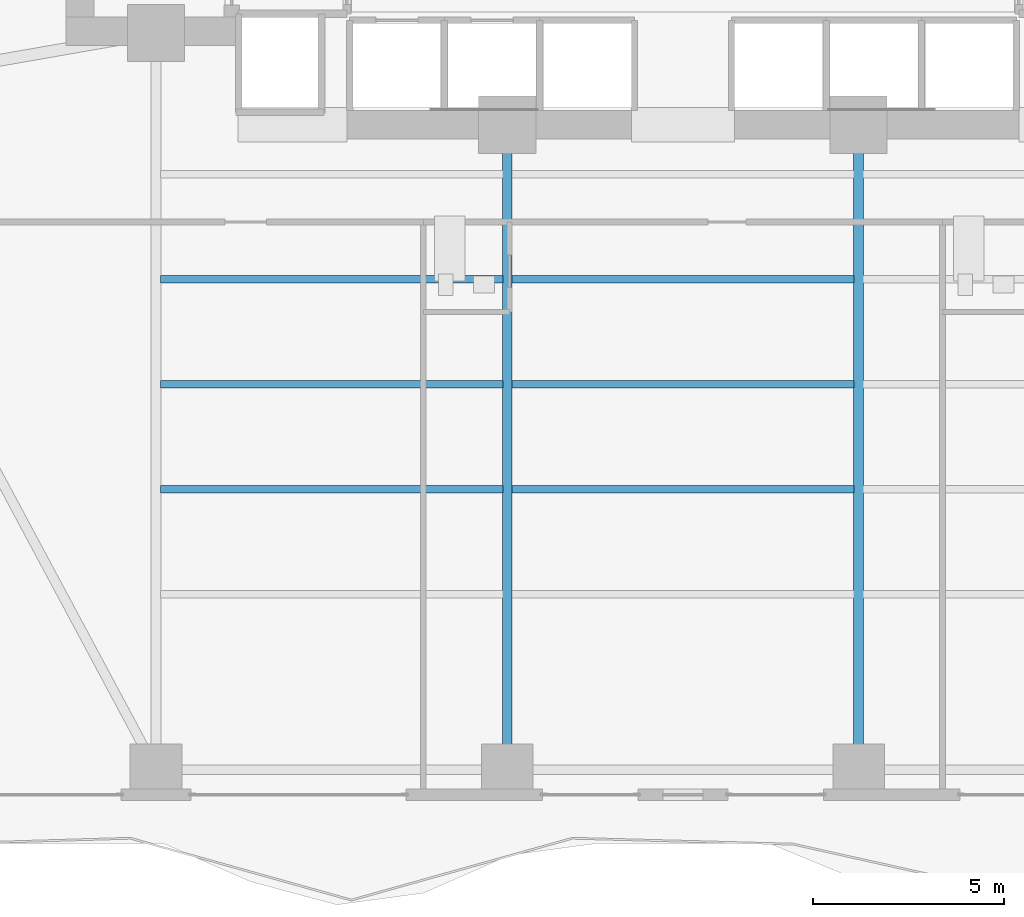
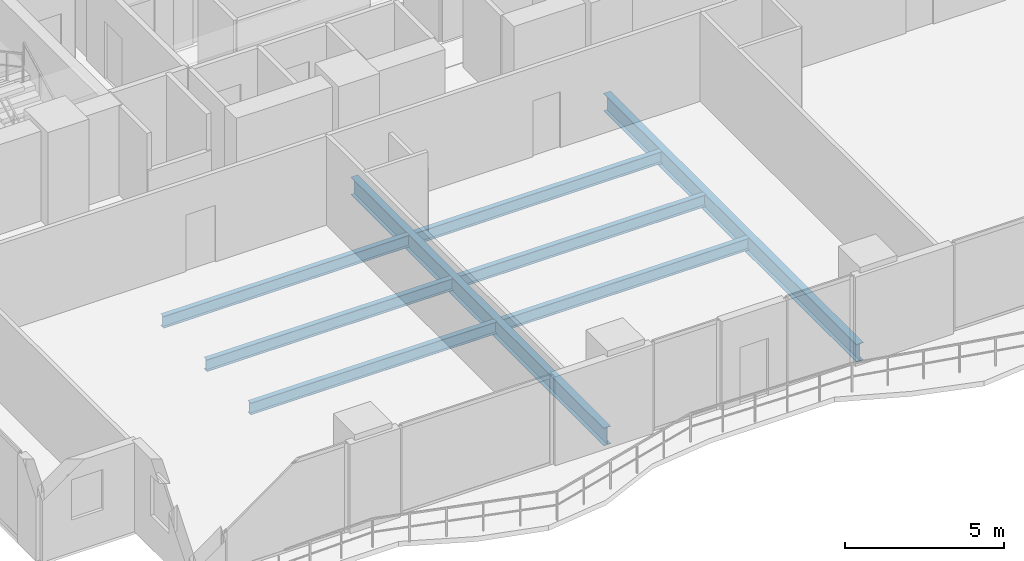
# One storey, part 6 of 29: 8 beams.
"""IFC4 building model written with IfcOpenShell, lengths in metres."""

from ifc_helpers import new_model, si_unit, direction, frame, origin, origin_2d, place, context, subcontext, project, spatial, i_section, extrude, material, material_profile, profile_set, type_object, element, save


model = new_model("IFC4")

# Units and contexts
model_context = context("Model", 3, precision=1e-05, world=origin(), true_north=direction((0.0, 1.0)))
body_context = subcontext(model_context, "Body", "Model", "MODEL_VIEW")
ifc_project = project(units=[si_unit("LENGTHUNIT", "METRE"), si_unit("AREAUNIT", "SQUARE_METRE"), si_unit("VOLUMEUNIT", "CUBIC_METRE"), si_unit("PLANEANGLEUNIT", "RADIAN"), si_unit("MASSUNIT", "GRAM", prefix="KILO")], contexts=[model_context])

# Site, building, storey
site_placement = place(None, origin())
site = spatial("IfcSite", under=ifc_project, at=site_placement, CompositionType="ELEMENT")
building_placement = place(site_placement, origin())
building = spatial("IfcBuilding", under=site, at=building_placement, Name="Zuhayl Quay Hotel", CompositionType="ELEMENT")
storey_placement = place(building_placement, frame((0.0, 0.0, 113.89990234375)))
storey = spatial("IfcBuildingStorey", under=building, at=storey_placement, Name="L28", CompositionType="ELEMENT", Elevation=113.89990234375)

# Beams
ifc_material = material(Name="Steel ASTM A992 Grade 50", Category="steel")
ifc_material_profile_1 = material_profile(ifc_material, i_section(OverallWidth=0.25390625, OverallDepth=0.68310546875, WebThickness=0.012451171875, FlangeThickness=0.018798828125, at=origin_2d()), Name="W27X94")
ifc_profile_set_1 = profile_set([ifc_material_profile_1], Name="Steel ASTM A992 Grade 50")
beam_type_1 = type_object("IfcBeamType", Name="BM_B2_W27X94", PredefinedType="BEAM", material=ifc_profile_set_1)
for number, where, z_axis, x_axis, name in (
    (1, (-4.60009765625, -14.25, -0.5615234375), (0.0, 1.0, 0.0), (-1.0, 0.0, 0.0), "L28 Floor Beam FG_S_L28_2"),
    (2, (4.60009765625, -14.25, -0.5615234375), (0.0, 1.0, 0.0), (-1.0, 0.0, 0.0), "L28 Floor Beam FG_S_L28_3"),
):
    element("IfcBeam", number, at=place(storey_placement, frame(where, z_axis=z_axis, x_axis=x_axis)), inside=storey, type_object=beam_type_1, Name=name, PredefinedType="BEAM", context=body_context, shape_type="SweptSolid", body=[
        extrude(i_section(OverallWidth=0.25390625, OverallDepth=0.68310546875, WebThickness=0.012451171875, FlangeThickness=0.018798828125, at=origin_2d()), origin(), (0.0, 0.0, 1.0), 15.949951171875),
    ])
ifc_material_profile_2 = material_profile(ifc_material, i_section(OverallWidth=0.18994140625, OverallDepth=0.45703125, WebThickness=0.009033203125, FlangeThickness=0.014404296875, at=origin_2d()), Name="W18X50")
ifc_profile_set_2 = profile_set([ifc_material_profile_2], Name="Steel ASTM A992 Grade 50")
beam_type_2 = type_object("IfcBeamType", Name="BM_J2_W18X50", PredefinedType="JOIST", material=ifc_profile_set_2)
for number, where, z_axis, x_axis, name in (
    (3, (-13.680908203125, -7.39990234375, -0.448486328125), (1.0, 0.0, 0.0), (0.0, 1.0, 0.0), "L28 Floor Beam FJ_L28_6_1"),
    (4, (-4.48095703125, -7.39990234375, -0.448486328125), (1.0, 0.0, 0.0), (0.0, 1.0, 0.0), "L28 Floor Beam FJ_L28_6_2"),
    (5, (-13.680908203125, -4.64990234375, -0.448486328125), (1.0, 0.0, 0.0), (0.0, 1.0, 0.0), "L28 Floor Beam FJ_L28_7_1"),
    (6, (-4.48095703125, -4.64990234375, -0.448486328125), (1.0, 0.0, 0.0), (0.0, 1.0, 0.0), "L28 Floor Beam FJ_L28_7_2"),
    (7, (-13.680908203125, -1.89990234375, -0.448486328125), (1.0, 0.0, 0.0), (0.0, 1.0, 0.0), "L28 Floor Beam FJ_L28_8_1"),
    (8, (-4.48095703125, -1.89990234375, -0.448486328125), (1.0, 0.0, 0.0), (0.0, 1.0, 0.0), "L28 Floor Beam FJ_L28_8_2"),
):
    element("IfcBeam", number, at=place(storey_placement, frame(where, z_axis=z_axis, x_axis=x_axis)), inside=storey, type_object=beam_type_2, Name=name, PredefinedType="JOIST", context=body_context, shape_type="SweptSolid", body=[
        extrude(i_section(OverallWidth=0.18994140625, OverallDepth=0.45703125, WebThickness=0.009033203125, FlangeThickness=0.014404296875, at=origin_2d()), origin(), (0.0, 0.0, 1.0), 8.9619140625),
    ])

save(model, "model.ifc")
